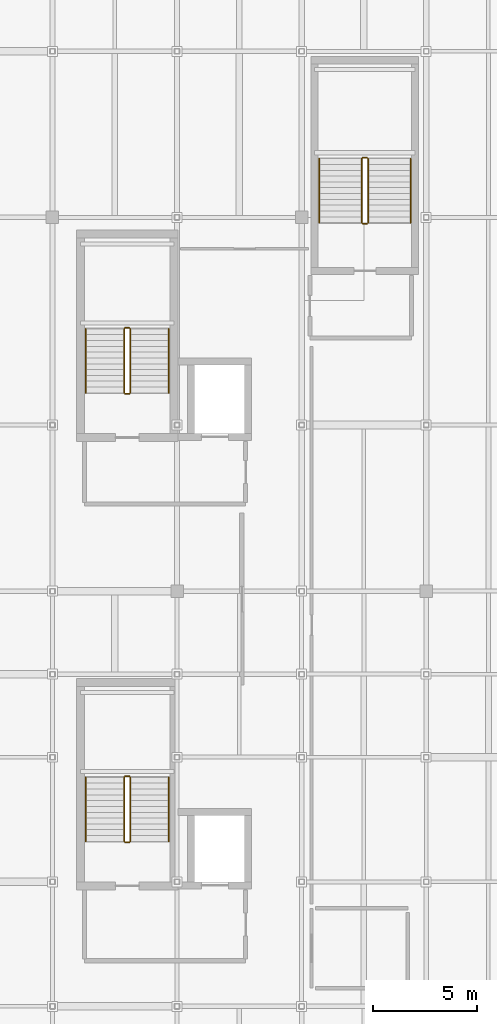
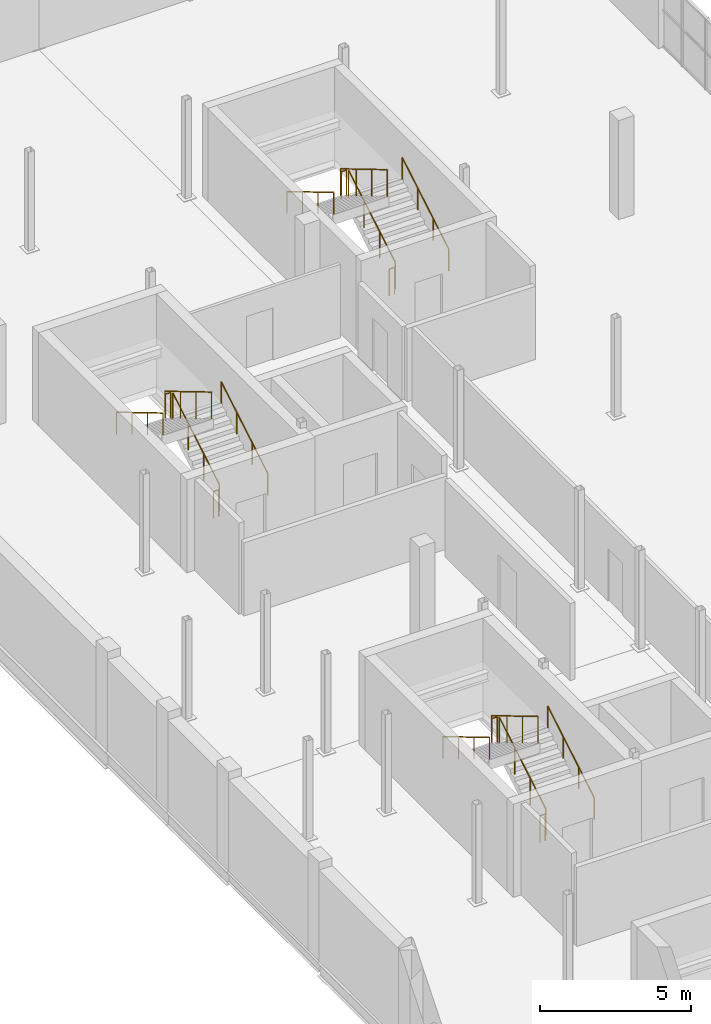
# One storey, part 94 of 96: 18 railings.
"""IFC4 building model written with IfcOpenShell, lengths in metres."""

from ifc_helpers import new_model, si_unit, direction, frame, origin, origin_2d, place, context, subcontext, project, spatial, circle, extrude, material, type_object, element, save


model = new_model("IFC4")

# Units and contexts
model_context = context("Model", 3, precision=1e-05, world=origin(), true_north=direction((0.0, 1.0)))
body_context = subcontext(model_context, "Body", "Model", "MODEL_VIEW")
ifc_project = project(units=[si_unit("LENGTHUNIT", "METRE"), si_unit("AREAUNIT", "SQUARE_METRE"), si_unit("VOLUMEUNIT", "CUBIC_METRE"), si_unit("PLANEANGLEUNIT", "RADIAN"), si_unit("MASSUNIT", "GRAM", prefix="KILO")], contexts=[model_context])

# Site, building, storey
site_placement = place(None, origin())
site = spatial("IfcSite", under=ifc_project, at=site_placement, CompositionType="ELEMENT")
building_placement = place(site_placement, origin())
building = spatial("IfcBuilding", under=site, at=building_placement, Name="Verrall Gate Interchange", CompositionType="ELEMENT")
storey_placement = place(building_placement, frame((0.0, 0.0, 11.39990234375)))
storey = spatial("IfcBuildingStorey", under=building, at=storey_placement, Name="L03", CompositionType="ELEMENT", Elevation=11.39990234375)

# Railings
ifc_material_1 = material(Name="Brushed Stainless-Steel Guardrail and Handrail System", Category="steel")
railing_type_1 = type_object("IfcRailingType", Name="GR-02 Interior Atrium and Stair Guardrail 1100", PredefinedType="GUARDRAIL", material=ifc_material_1)
railing_1_placement = place(storey_placement, frame((9.75, 35.949951171875, 0.166748046875)))
element("IfcRailing", 1, at=railing_1_placement, inside=storey, type_object=railing_type_1, Name="L03 ST-02 stair guard 1", PredefinedType="GUARDRAIL", context=body_context, shape_type="SweptSolid", body=[
    extrude(circle(Radius=0.02392578125, at=origin_2d()), frame((0.0, 0.0, 1.076171875), z_axis=(0.0, 0.859308565015, 0.511457515432), x_axis=(-1.0, 0.0, 0.0)), (0.0, 0.0, 1.0), 3.58447265625),
    extrude(circle(Radius=0.02099609375, at=origin_2d()), origin(), (0.0, 0.0, 1.0), 1.052001953125),
    extrude(circle(Radius=0.02099609375, at=origin_2d()), frame((0.0, 1.026611328125, 0.611083984375)), (0.0, 0.0, 1.0), 1.052001953125),
    extrude(circle(Radius=0.02099609375, at=origin_2d()), frame((0.0, 2.053466796875, 1.22216796875)), (0.0, 0.0, 1.0), 1.052001953125),
    extrude(circle(Radius=0.02099609375, at=origin_2d()), frame((0.0, 3.080078125, 1.833251953125)), (0.0, 0.0, 1.0), 1.052001953125),
])
railing_2_placement = place(storey_placement, frame((9.699951171875, 39.080078125, 2.0)))
element("IfcRailing", 2, at=railing_2_placement, inside=storey, type_object=railing_type_1, Name="L03 ST-02 stair guard 2", PredefinedType="GUARDRAIL", context=body_context, shape_type="SweptSolid", body=[
    extrude(circle(Radius=0.02392578125, at=origin_2d()), frame((0.0, 0.0, 1.076171875), z_axis=(-1.0, 0.0, 0.0), x_axis=(0.0, -1.0, 0.0)), (0.0, 0.0, 1.0), 0.199951171875),
    extrude(circle(Radius=0.02099609375, at=origin_2d()), origin(), (0.0, 0.0, 1.0), 1.052001953125),
    extrude(circle(Radius=0.02099609375, at=origin_2d()), frame((-0.199951171875, 0.0, 0.0)), (0.0, 0.0, 1.0), 1.052001953125),
])
railing_3_placement = place(storey_placement, frame((9.449951171875, 39.030029296875, 2.166748046875)))
element("IfcRailing", 3, at=railing_3_placement, inside=storey, type_object=railing_type_1, Name="L03 ST-02 stair guard 3", PredefinedType="GUARDRAIL", context=body_context, shape_type="SweptSolid", body=[
    extrude(circle(Radius=0.02392578125, at=origin_2d()), frame((0.0, 0.0, 1.076171875), z_axis=(0.0, -0.859308565015, 0.511457515432), x_axis=(1.0, 0.0, 0.0)), (0.0, 0.0, 1.0), 3.58447265625),
    extrude(circle(Radius=0.02099609375, at=origin_2d()), origin(), (0.0, 0.0, 1.0), 1.052001953125),
    extrude(circle(Radius=0.02099609375, at=origin_2d()), frame((0.0, -1.026611328125, 0.611083984375)), (0.0, 0.0, 1.0), 1.052001953125),
    extrude(circle(Radius=0.02099609375, at=origin_2d()), frame((0.0, -2.053466796875, 1.22216796875)), (0.0, 0.0, 1.0), 1.052001953125),
    extrude(circle(Radius=0.02099609375, at=origin_2d()), frame((0.0, -3.080078125, 1.833251953125)), (0.0, 0.0, 1.0), 1.052001953125),
])
railing_4_placement = place(storey_placement, frame((9.699951171875, 35.89990234375, 0.0)))
element("IfcRailing", 4, at=railing_4_placement, inside=storey, type_object=railing_type_1, Name="L03 ST-02 stair guard 4", PredefinedType="GUARDRAIL", context=body_context, shape_type="SweptSolid", body=[
    extrude(circle(Radius=0.02392578125, at=origin_2d()), frame((0.0, 0.0, 1.076171875), z_axis=(-1.0, 0.0, 0.0), x_axis=(0.0, -1.0, 0.0)), (0.0, 0.0, 1.0), 0.199951171875),
    extrude(circle(Radius=0.02099609375, at=origin_2d()), origin(), (0.0, 0.0, 1.0), 1.052001953125),
    extrude(circle(Radius=0.02099609375, at=origin_2d()), frame((-0.199951171875, 0.0, 0.0)), (0.0, 0.0, 1.0), 1.052001953125),
])
railing_5_placement = place(storey_placement, frame((9.75, 57.550048828125, 0.166748046875)))
element("IfcRailing", 5, at=railing_5_placement, inside=storey, type_object=railing_type_1, Name="L03 ST-03 stair guard 1", PredefinedType="GUARDRAIL", context=body_context, shape_type="SweptSolid", body=[
    extrude(circle(Radius=0.02392578125, at=origin_2d()), frame((0.0, 0.0, 1.076171875), z_axis=(0.0, 0.859290745958, 0.51148745235), x_axis=(-1.0, 0.0, 0.0)), (0.0, 0.0, 1.0), 3.584228515625),
    extrude(circle(Radius=0.02099609375, at=origin_2d()), origin(), (0.0, 0.0, 1.0), 1.052001953125),
    extrude(circle(Radius=0.02099609375, at=origin_2d()), frame((0.0, 1.026611328125, 0.611083984375)), (0.0, 0.0, 1.0), 1.052001953125),
    extrude(circle(Radius=0.02099609375, at=origin_2d()), frame((0.0, 2.05322265625, 1.22216796875)), (0.0, 0.0, 1.0), 1.052001953125),
    extrude(circle(Radius=0.02099609375, at=origin_2d()), frame((0.0, 3.079833984375, 1.833251953125)), (0.0, 0.0, 1.0), 1.052001953125),
])
railing_6_placement = place(storey_placement, frame((9.699951171875, 60.679931640625, 2.0)))
element("IfcRailing", 6, at=railing_6_placement, inside=storey, type_object=railing_type_1, Name="L03 ST-03 stair guard 2", PredefinedType="GUARDRAIL", context=body_context, shape_type="SweptSolid", body=[
    extrude(circle(Radius=0.02392578125, at=origin_2d()), frame((0.0, 0.0, 1.076171875), z_axis=(-1.0, 0.0, 0.0), x_axis=(0.0, -1.0, 0.0)), (0.0, 0.0, 1.0), 0.199951171875),
    extrude(circle(Radius=0.02099609375, at=origin_2d()), origin(), (0.0, 0.0, 1.0), 1.052001953125),
    extrude(circle(Radius=0.02099609375, at=origin_2d()), frame((-0.199951171875, 0.0, 0.0)), (0.0, 0.0, 1.0), 1.052001953125),
])
railing_7_placement = place(storey_placement, frame((9.449951171875, 60.6298828125, 2.166748046875)))
element("IfcRailing", 7, at=railing_7_placement, inside=storey, type_object=railing_type_1, Name="L03 ST-03 stair guard 3", PredefinedType="GUARDRAIL", context=body_context, shape_type="SweptSolid", body=[
    extrude(circle(Radius=0.02392578125, at=origin_2d()), frame((0.0, 0.0, 1.076171875), z_axis=(0.0, -0.859290745958, 0.51148745235), x_axis=(1.0, 0.0, 0.0)), (0.0, 0.0, 1.0), 3.584228515625),
    extrude(circle(Radius=0.02099609375, at=origin_2d()), origin(), (0.0, 0.0, 1.0), 1.052001953125),
    extrude(circle(Radius=0.02099609375, at=origin_2d()), frame((0.0, -1.026611328125, 0.611083984375)), (0.0, 0.0, 1.0), 1.052001953125),
    extrude(circle(Radius=0.02099609375, at=origin_2d()), frame((0.0, -2.05322265625, 1.22216796875)), (0.0, 0.0, 1.0), 1.052001953125),
    extrude(circle(Radius=0.02099609375, at=origin_2d()), frame((0.0, -3.079833984375, 1.833251953125)), (0.0, 0.0, 1.0), 1.052001953125),
])
railing_8_placement = place(storey_placement, frame((9.699951171875, 57.5, 0.0)))
element("IfcRailing", 8, at=railing_8_placement, inside=storey, type_object=railing_type_1, Name="L03 ST-03 stair guard 4", PredefinedType="GUARDRAIL", context=body_context, shape_type="SweptSolid", body=[
    extrude(circle(Radius=0.02392578125, at=origin_2d()), frame((0.0, 0.0, 1.076171875), z_axis=(-1.0, 0.0, 0.0), x_axis=(0.0, -1.0, 0.0)), (0.0, 0.0, 1.0), 0.199951171875),
    extrude(circle(Radius=0.02099609375, at=origin_2d()), origin(), (0.0, 0.0, 1.0), 1.052001953125),
    extrude(circle(Radius=0.02099609375, at=origin_2d()), frame((-0.199951171875, 0.0, 0.0)), (0.0, 0.0, 1.0), 1.052001953125),
])
railing_9_placement = place(storey_placement, frame((21.199951171875, 65.75, 0.166748046875)))
element("IfcRailing", 9, at=railing_9_placement, inside=storey, type_object=railing_type_1, Name="L03 ST-04 stair guard 1", PredefinedType="GUARDRAIL", context=body_context, shape_type="SweptSolid", body=[
    extrude(circle(Radius=0.02392578125, at=origin_2d()), frame((0.0, 0.0, 1.076171875), z_axis=(0.0, 0.859308565015, 0.511457515432), x_axis=(-1.0, 0.0, 0.0)), (0.0, 0.0, 1.0), 3.58447265625),
    extrude(circle(Radius=0.02099609375, at=origin_2d()), origin(), (0.0, 0.0, 1.0), 1.052001953125),
    extrude(circle(Radius=0.02099609375, at=origin_2d()), frame((0.0, 1.026611328125, 0.611083984375)), (0.0, 0.0, 1.0), 1.052001953125),
    extrude(circle(Radius=0.02099609375, at=origin_2d()), frame((0.0, 2.053466796875, 1.22216796875)), (0.0, 0.0, 1.0), 1.052001953125),
    extrude(circle(Radius=0.02099609375, at=origin_2d()), frame((0.0, 3.080078125, 1.833251953125)), (0.0, 0.0, 1.0), 1.052001953125),
])
railing_10_placement = place(storey_placement, frame((21.14990234375, 68.8798828125, 2.0)))
element("IfcRailing", 10, at=railing_10_placement, inside=storey, type_object=railing_type_1, Name="L03 ST-04 stair guard 2", PredefinedType="GUARDRAIL", context=body_context, shape_type="SweptSolid", body=[
    extrude(circle(Radius=0.02392578125, at=origin_2d()), frame((0.0, 0.0, 1.076171875), z_axis=(-1.0, 0.0, 0.0), x_axis=(0.0, -1.0, 0.0)), (0.0, 0.0, 1.0), 0.199951171875),
    extrude(circle(Radius=0.02099609375, at=origin_2d()), origin(), (0.0, 0.0, 1.0), 1.052001953125),
    extrude(circle(Radius=0.02099609375, at=origin_2d()), frame((-0.199951171875, 0.0, 0.0)), (0.0, 0.0, 1.0), 1.052001953125),
])
railing_11_placement = place(storey_placement, frame((20.89990234375, 68.830078125, 2.166748046875)))
element("IfcRailing", 11, at=railing_11_placement, inside=storey, type_object=railing_type_1, Name="L03 ST-04 stair guard 3", PredefinedType="GUARDRAIL", context=body_context, shape_type="SweptSolid", body=[
    extrude(circle(Radius=0.02392578125, at=origin_2d()), frame((0.0, 0.0, 1.076171875), z_axis=(0.0, -0.859308565015, 0.511457515432), x_axis=(1.0, 0.0, 0.0)), (0.0, 0.0, 1.0), 3.58447265625),
    extrude(circle(Radius=0.02099609375, at=origin_2d()), origin(), (0.0, 0.0, 1.0), 1.052001953125),
    extrude(circle(Radius=0.02099609375, at=origin_2d()), frame((0.0, -1.026611328125, 0.611083984375)), (0.0, 0.0, 1.0), 1.052001953125),
    extrude(circle(Radius=0.02099609375, at=origin_2d()), frame((0.0, -2.053466796875, 1.22216796875)), (0.0, 0.0, 1.0), 1.052001953125),
    extrude(circle(Radius=0.02099609375, at=origin_2d()), frame((0.0, -3.080078125, 1.833251953125)), (0.0, 0.0, 1.0), 1.052001953125),
])
railing_12_placement = place(storey_placement, frame((21.14990234375, 65.699951171875, 0.0)))
element("IfcRailing", 12, at=railing_12_placement, inside=storey, type_object=railing_type_1, Name="L03 ST-04 stair guard 4", PredefinedType="GUARDRAIL", context=body_context, shape_type="SweptSolid", body=[
    extrude(circle(Radius=0.02392578125, at=origin_2d()), frame((0.0, 0.0, 1.076171875), z_axis=(-1.0, 0.0, 0.0), x_axis=(0.0, -1.0, 0.0)), (0.0, 0.0, 1.0), 0.199951171875),
    extrude(circle(Radius=0.02099609375, at=origin_2d()), origin(), (0.0, 0.0, 1.0), 1.052001953125),
    extrude(circle(Radius=0.02099609375, at=origin_2d()), frame((-0.199951171875, 0.0, 0.0)), (0.0, 0.0, 1.0), 1.052001953125),
])
ifc_material_2 = material(Name="Brushed Stainless-Steel Guardrail and Handrail System", Category="steel")
railing_type_2 = type_object("IfcRailingType", Name="HR-01 Stair and Ramp Pitch-Line Handrail 920", PredefinedType="HANDRAIL", material=ifc_material_2)
railing_13_placement = place(storey_placement, frame((11.60009765625, 35.949951171875, 0.166748046875)))
element("IfcRailing", 13, at=railing_13_placement, inside=storey, type_object=railing_type_2, Name="L03 ST-02 stair handrail 1", PredefinedType="HANDRAIL", context=body_context, shape_type="SweptSolid", body=[
    extrude(circle(Radius=0.02392578125, at=origin_2d()), frame((0.0, 0.0, 0.8759765625), z_axis=(0.0, 0.859308565015, 0.511457515432), x_axis=(-1.0, 0.0, 0.0)), (0.0, 0.0, 1.0), 3.58447265625),
    extrude(circle(Radius=0.02099609375, at=origin_2d()), origin(), (0.0, 0.0, 1.0), 0.851806640625),
    extrude(circle(Radius=0.02099609375, at=origin_2d()), frame((0.0, 1.026611328125, 0.611083984375)), (0.0, 0.0, 1.0), 0.851806640625),
    extrude(circle(Radius=0.02099609375, at=origin_2d()), frame((0.0, 2.053466796875, 1.22216796875)), (0.0, 0.0, 1.0), 0.851806640625),
    extrude(circle(Radius=0.02099609375, at=origin_2d()), frame((0.0, 3.080078125, 1.833251953125)), (0.0, 0.0, 1.0), 0.851806640625),
])
railing_14_placement = place(storey_placement, frame((7.60009765625, 39.030029296875, 2.166748046875)))
element("IfcRailing", 14, at=railing_14_placement, inside=storey, type_object=railing_type_2, Name="L03 ST-02 stair handrail 2", PredefinedType="HANDRAIL", context=body_context, shape_type="SweptSolid", body=[
    extrude(circle(Radius=0.02392578125, at=origin_2d()), frame((0.0, 0.0, 0.8759765625), z_axis=(0.0, -0.859308565015, 0.511457515432), x_axis=(1.0, 0.0, 0.0)), (0.0, 0.0, 1.0), 3.58447265625),
    extrude(circle(Radius=0.02099609375, at=origin_2d()), origin(), (0.0, 0.0, 1.0), 0.851806640625),
    extrude(circle(Radius=0.02099609375, at=origin_2d()), frame((0.0, -1.026611328125, 0.611083984375)), (0.0, 0.0, 1.0), 0.851806640625),
    extrude(circle(Radius=0.02099609375, at=origin_2d()), frame((0.0, -2.053466796875, 1.22216796875)), (0.0, 0.0, 1.0), 0.851806640625),
    extrude(circle(Radius=0.02099609375, at=origin_2d()), frame((0.0, -3.080078125, 1.833251953125)), (0.0, 0.0, 1.0), 0.851806640625),
])
railing_15_placement = place(storey_placement, frame((11.60009765625, 57.550048828125, 0.166748046875)))
element("IfcRailing", 15, at=railing_15_placement, inside=storey, type_object=railing_type_2, Name="L03 ST-03 stair handrail 1", PredefinedType="HANDRAIL", context=body_context, shape_type="SweptSolid", body=[
    extrude(circle(Radius=0.02392578125, at=origin_2d()), frame((0.0, 0.0, 0.8759765625), z_axis=(0.0, 0.859290745958, 0.51148745235), x_axis=(-1.0, 0.0, 0.0)), (0.0, 0.0, 1.0), 3.584228515625),
    extrude(circle(Radius=0.02099609375, at=origin_2d()), origin(), (0.0, 0.0, 1.0), 0.851806640625),
    extrude(circle(Radius=0.02099609375, at=origin_2d()), frame((0.0, 1.026611328125, 0.611083984375)), (0.0, 0.0, 1.0), 0.851806640625),
    extrude(circle(Radius=0.02099609375, at=origin_2d()), frame((0.0, 2.05322265625, 1.22216796875)), (0.0, 0.0, 1.0), 0.851806640625),
    extrude(circle(Radius=0.02099609375, at=origin_2d()), frame((0.0, 3.079833984375, 1.833251953125)), (0.0, 0.0, 1.0), 0.851806640625),
])
railing_16_placement = place(storey_placement, frame((7.60009765625, 60.6298828125, 2.166748046875)))
element("IfcRailing", 16, at=railing_16_placement, inside=storey, type_object=railing_type_2, Name="L03 ST-03 stair handrail 2", PredefinedType="HANDRAIL", context=body_context, shape_type="SweptSolid", body=[
    extrude(circle(Radius=0.02392578125, at=origin_2d()), frame((0.0, 0.0, 0.8759765625), z_axis=(0.0, -0.859290745958, 0.51148745235), x_axis=(1.0, 0.0, 0.0)), (0.0, 0.0, 1.0), 3.584228515625),
    extrude(circle(Radius=0.02099609375, at=origin_2d()), origin(), (0.0, 0.0, 1.0), 0.851806640625),
    extrude(circle(Radius=0.02099609375, at=origin_2d()), frame((0.0, -1.026611328125, 0.611083984375)), (0.0, 0.0, 1.0), 0.851806640625),
    extrude(circle(Radius=0.02099609375, at=origin_2d()), frame((0.0, -2.05322265625, 1.22216796875)), (0.0, 0.0, 1.0), 0.851806640625),
    extrude(circle(Radius=0.02099609375, at=origin_2d()), frame((0.0, -3.079833984375, 1.833251953125)), (0.0, 0.0, 1.0), 0.851806640625),
])
railing_17_placement = place(storey_placement, frame((23.25, 65.75, 0.166748046875)))
element("IfcRailing", 17, at=railing_17_placement, inside=storey, type_object=railing_type_2, Name="L03 ST-04 stair handrail 1", PredefinedType="HANDRAIL", context=body_context, shape_type="SweptSolid", body=[
    extrude(circle(Radius=0.02392578125, at=origin_2d()), frame((0.0, 0.0, 0.8759765625), z_axis=(0.0, 0.859308565015, 0.511457515432), x_axis=(-1.0, 0.0, 0.0)), (0.0, 0.0, 1.0), 3.58447265625),
    extrude(circle(Radius=0.02099609375, at=origin_2d()), origin(), (0.0, 0.0, 1.0), 0.851806640625),
    extrude(circle(Radius=0.02099609375, at=origin_2d()), frame((0.0, 1.026611328125, 0.611083984375)), (0.0, 0.0, 1.0), 0.851806640625),
    extrude(circle(Radius=0.02099609375, at=origin_2d()), frame((0.0, 2.053466796875, 1.22216796875)), (0.0, 0.0, 1.0), 0.851806640625),
    extrude(circle(Radius=0.02099609375, at=origin_2d()), frame((0.0, 3.080078125, 1.833251953125)), (0.0, 0.0, 1.0), 0.851806640625),
])
railing_18_placement = place(storey_placement, frame((18.85009765625, 68.830078125, 2.166748046875)))
element("IfcRailing", 18, at=railing_18_placement, inside=storey, type_object=railing_type_2, Name="L03 ST-04 stair handrail 2", PredefinedType="HANDRAIL", context=body_context, shape_type="SweptSolid", body=[
    extrude(circle(Radius=0.02392578125, at=origin_2d()), frame((0.0, 0.0, 0.8759765625), z_axis=(0.0, -0.859308565015, 0.511457515432), x_axis=(1.0, 0.0, 0.0)), (0.0, 0.0, 1.0), 3.58447265625),
    extrude(circle(Radius=0.02099609375, at=origin_2d()), origin(), (0.0, 0.0, 1.0), 0.851806640625),
    extrude(circle(Radius=0.02099609375, at=origin_2d()), frame((0.0, -1.026611328125, 0.611083984375)), (0.0, 0.0, 1.0), 0.851806640625),
    extrude(circle(Radius=0.02099609375, at=origin_2d()), frame((0.0, -2.053466796875, 1.22216796875)), (0.0, 0.0, 1.0), 0.851806640625),
    extrude(circle(Radius=0.02099609375, at=origin_2d()), frame((0.0, -3.080078125, 1.833251953125)), (0.0, 0.0, 1.0), 0.851806640625),
])

save(model, "model.ifc")
